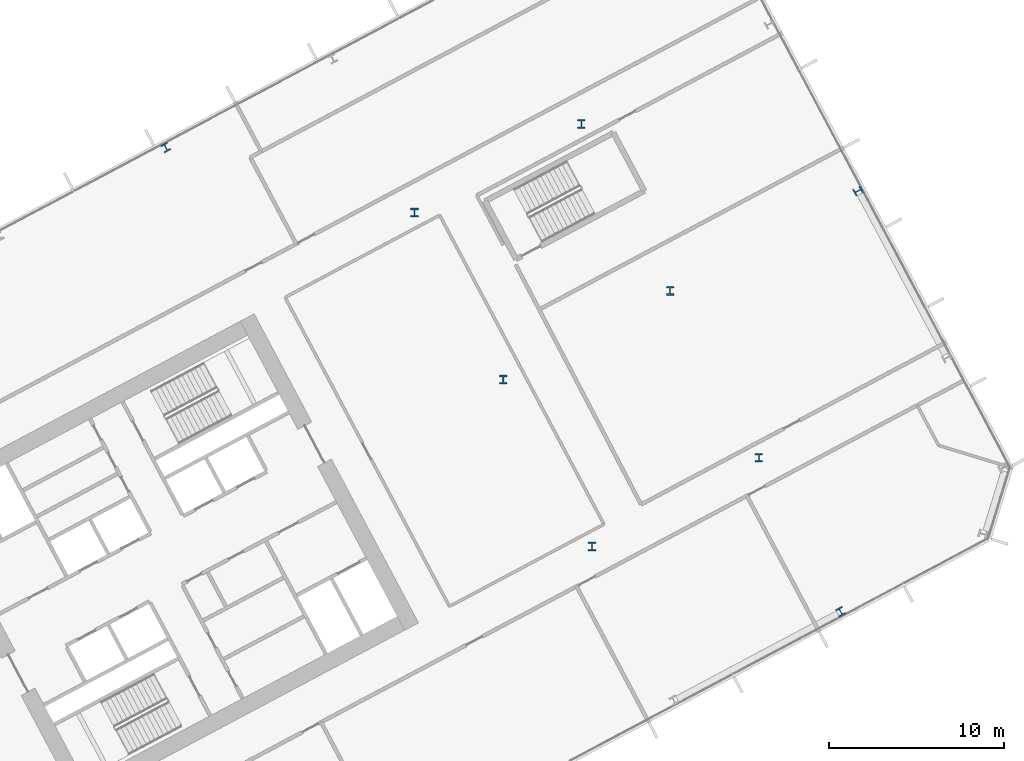
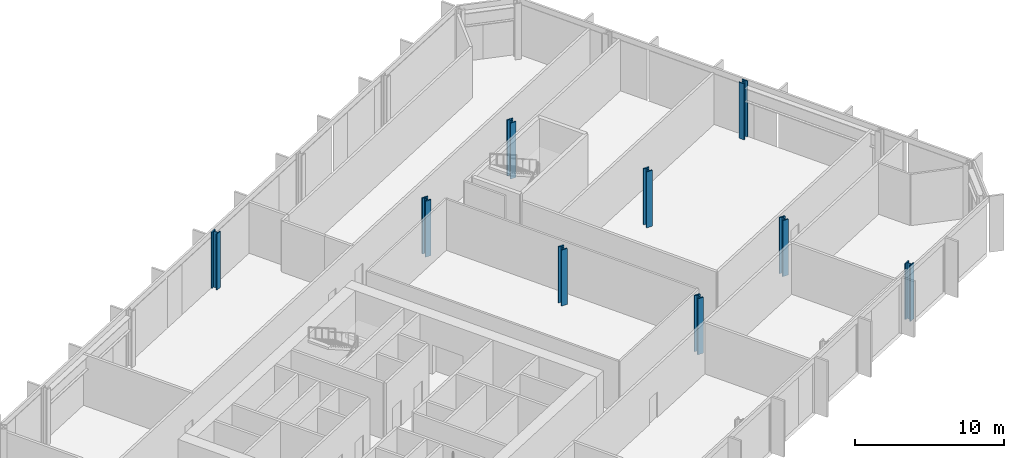
# One storey, part 4 of 32: 9 columns.
"""IFC4 building model written with IfcOpenShell, lengths in metres."""

from ifc_helpers import new_model, si_unit, direction, frame, origin, origin_2d, place, context, subcontext, project, spatial, i_section, extrude, material, material_profile, profile_set, type_object, element, save


model = new_model("IFC4")

# Units and contexts
model_context = context("Model", 3, precision=1e-05, world=origin(), true_north=direction((0.0, 1.0)))
body_context = subcontext(model_context, "Body", "Model", "MODEL_VIEW")
ifc_project = project(units=[si_unit("LENGTHUNIT", "METRE"), si_unit("AREAUNIT", "SQUARE_METRE"), si_unit("VOLUMEUNIT", "CUBIC_METRE"), si_unit("PLANEANGLEUNIT", "RADIAN"), si_unit("MASSUNIT", "GRAM", prefix="KILO")], contexts=[model_context])

# Site, building, storey
site_placement = place(None, origin())
site = spatial("IfcSite", under=ifc_project, at=site_placement, CompositionType="ELEMENT")
building_placement = place(site_placement, origin())
building = spatial("IfcBuilding", under=site, at=building_placement, Name="Cormorant Relay Tower", CompositionType="ELEMENT")
storey_placement = place(building_placement, frame((0.0, 0.0, 75.39990234375)))
storey = spatial("IfcBuildingStorey", under=building, at=storey_placement, Name="L14", CompositionType="ELEMENT", Elevation=75.39990234375)

# Columns
ifc_material_1 = material(Name="Steel ASTM A992 (Fy 345 MPa)", Category="steel")
ifc_material_profile_1 = material_profile(ifc_material_1, i_section(OverallWidth=0.42431640625, OverallDepth=0.47509765625, WebThickness=0.0478515625, FlangeThickness=0.0771484375, FilletRadius=0.014892578125, at=origin_2d()), Name="W360x634")
ifc_profile_set_1 = profile_set([ifc_material_profile_1], Name="Steel ASTM A992 (Fy 345 MPa)")
column_type_1 = type_object("IfcColumnType", Name="Column W360x634", PredefinedType="COLUMN", material=ifc_profile_set_1)
for number, where, z_axis, x_axis, name in (
    (1, (62.3701171875, 9.65087890625, 0.0), (0.0, 0.0, 1.0), (0.882947592859, 0.469471562786, 0.0), "Column L14-020"),
    (2, (63.360107421875, 33.68896484375, 0.0), (0.0, 0.0, 1.0), (-0.469471562786, 0.882947592859, 0.0), "Column L14-042"),
    (3, (23.805908203125, 36.169921875, 0.0), (0.0, 0.0, 1.0), (-0.882947592859, -0.469471562786, 0.0), "Column L14-044"),
):
    element("IfcColumn", number, at=place(storey_placement, frame(where, z_axis=z_axis, x_axis=x_axis)), inside=storey, type_object=column_type_1, Name=name, PredefinedType="COLUMN", context=body_context, shape_type="SweptSolid", body=[
        extrude(i_section(OverallWidth=0.42431640625, OverallDepth=0.47509765625, WebThickness=0.0478515625, FlangeThickness=0.0771484375, FilletRadius=0.014892578125, at=origin_2d()), origin(), (0.0, 0.0, 1.0), 4.60009765625),
    ])
ifc_material_2 = material(Name="Steel ASTM A992 (Fy 345 MPa)", Category="steel")
ifc_material_profile_2 = material_profile(ifc_material_2, i_section(OverallWidth=0.43701171875, OverallDepth=0.51318359375, WebThickness=0.060546875, FlangeThickness=0.096923828125, FilletRadius=0.015380859375, at=origin_2d()), Name="W360x818")
ifc_profile_set_2 = profile_set([ifc_material_profile_2], Name="Steel ASTM A992 (Fy 345 MPa)")
column_type_2 = type_object("IfcColumnType", Name="Column W360x818", PredefinedType="COLUMN", material=ifc_profile_set_2)
for number, where, z_axis, x_axis, name in (
    (4, (48.157958984375, 13.3740234375, 0.0), (0.0, 0.0, 1.0), (1.0, 0.0, 0.0), "Column L14-025"),
    (5, (57.694091796875, 18.445068359375, 0.0), (0.0, 0.0, 1.0), (1.0, 0.0, 0.0), "Column L14-029"),
    (6, (43.087890625, 22.909912109375, 0.0), (0.0, 0.0, 1.0), (1.0, 0.0, 0.0), "Column L14-031"),
    (7, (52.6240234375, 27.98095703125, 0.0), (0.0, 0.0, 1.0), (1.0, 0.0, 0.0), "Column L14-037"),
    (8, (38.01806640625, 32.446044921875, 0.0), (0.0, 0.0, 1.0), (1.0, 0.0, 0.0), "Column L14-040"),
    (9, (47.552978515625, 37.51611328125, 0.0), (0.0, 0.0, 1.0), (1.0, 0.0, 0.0), "Column L14-045"),
):
    element("IfcColumn", number, at=place(storey_placement, frame(where, z_axis=z_axis, x_axis=x_axis)), inside=storey, type_object=column_type_2, Name=name, PredefinedType="COLUMN", context=body_context, shape_type="SweptSolid", body=[
        extrude(i_section(OverallWidth=0.43701171875, OverallDepth=0.51318359375, WebThickness=0.060546875, FlangeThickness=0.096923828125, FilletRadius=0.015380859375, at=origin_2d()), origin(), (0.0, 0.0, 1.0), 4.60009765625),
    ])

save(model, "model.ifc")
